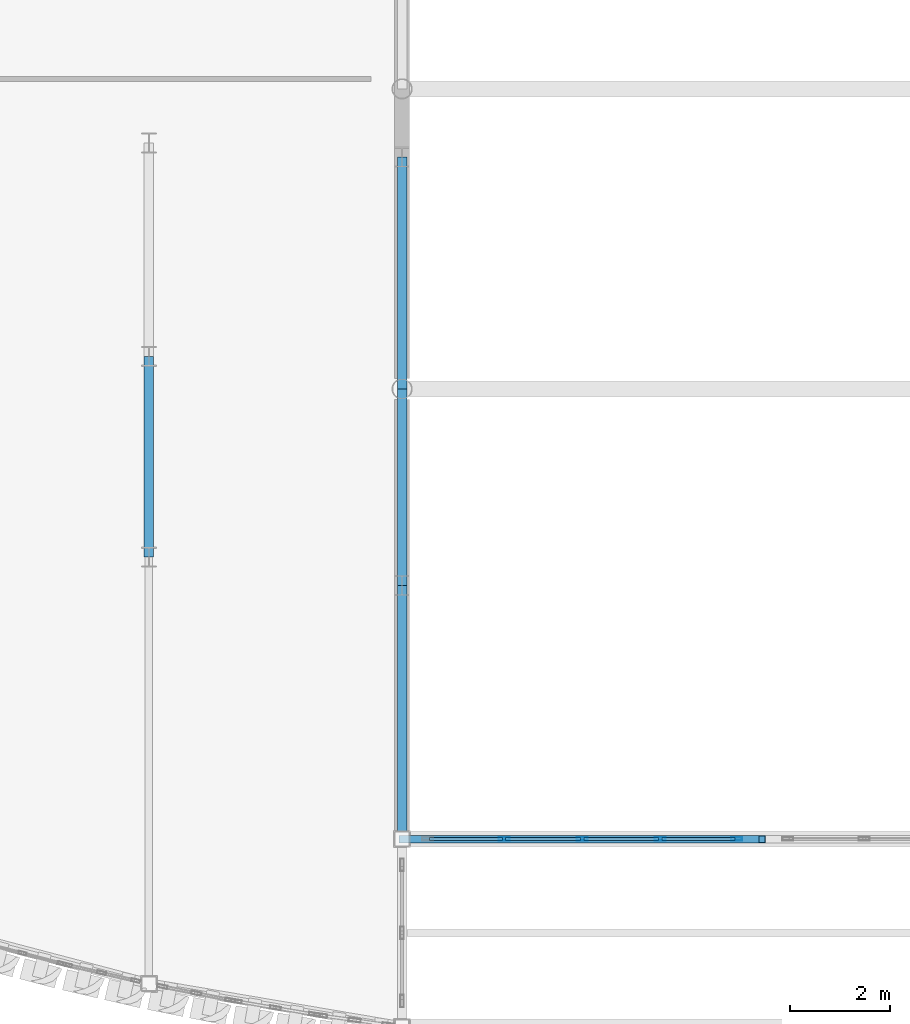
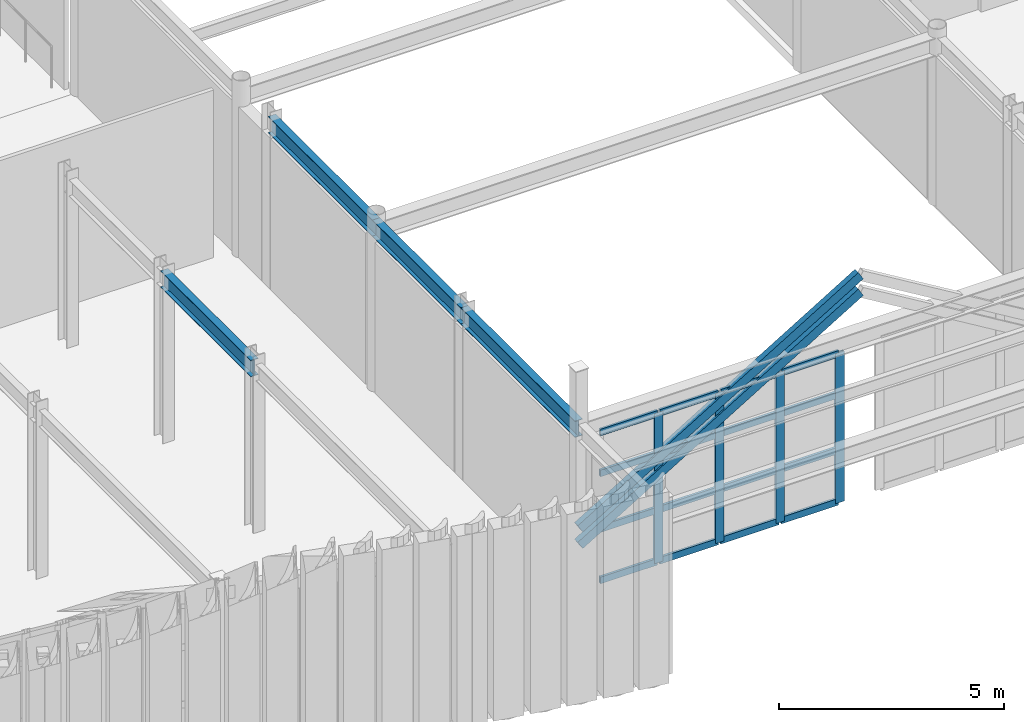
# One storey, part 42 of 126: 22 members, 4 beams, 1 element without a shape of its own.
"""IFC4 building model written with IfcOpenShell, lengths in metres."""

from ifc_helpers import new_model, si_unit, direction, frame, origin, origin_2d, place, context, subcontext, project, spatial, hollow_rectangle, i_section, extrude, material, layer, layer_set, material_profile, profile_set, type_object, element, aggregate, save


model = new_model("IFC4")

# Units and contexts
model_context = context("Model", 3, precision=1e-05, world=origin(), true_north=direction((0.0, 1.0)))
body_context = subcontext(model_context, "Body", "Model", "MODEL_VIEW")
ifc_project = project(units=[si_unit("LENGTHUNIT", "METRE"), si_unit("AREAUNIT", "SQUARE_METRE"), si_unit("VOLUMEUNIT", "CUBIC_METRE"), si_unit("PLANEANGLEUNIT", "RADIAN"), si_unit("MASSUNIT", "GRAM", prefix="KILO")], contexts=[model_context])

# Site, building, storey
site_placement = place(None, origin())
site = spatial("IfcSite", under=ifc_project, at=site_placement, CompositionType="ELEMENT")
building_placement = place(site_placement, origin())
building = spatial("IfcBuilding", under=site, at=building_placement, Name="Solvadek Multi-Sports Hall", CompositionType="ELEMENT")
storey_placement = place(building_placement, frame((0.0, 0.0, 9.60009765625)))
storey = spatial("IfcBuildingStorey", under=building, at=storey_placement, Name="L02", CompositionType="ELEMENT", Elevation=9.60009765625)

# Curtain wall, members
ifc_material_1 = material(Name="Anodised aluminium", Category="aluminium")
ifc_layer = layer(ifc_material_1, 0.159912109375, Name="Anodised aluminium")
ifc_layer_set = layer_set([ifc_layer], Name="Anodised aluminium")
curtain_wall_type = type_object("IfcCurtainWallType", Name="ENV-CW-624X408", PredefinedType="USERDEFINED", material=ifc_layer_set)
curtain_wall_placement = place(storey_placement, origin())
curtain_wall = element("IfcCurtainWall", 1, at=curtain_wall_placement, inside=storey, type_object=curtain_wall_type, Name="L02 Perimeter Bay Curtain Wall #117", ObjectType="CURTAIN WALL", PredefinedType="USERDEFINED")
ifc_material_profile_1 = material_profile(ifc_material_1, hollow_rectangle(XDim=0.06494140625, YDim=0.219970703125, WallThickness=0.0048828125, at=origin_2d()), Name="ALU-M 220x65x5")
ifc_profile_set_1 = profile_set([ifc_material_profile_1], Name="Anodised aluminium")
member_type_1 = type_object("IfcMemberType", Name="ENV-CWM-04", PredefinedType="MULLION", material=ifc_profile_set_1)
member_1_placement = place(storey_placement, frame((74.0400390625, -9.0, 0.0), z_axis=(0.0, 0.0, 1.0), x_axis=(0.0, 1.0, 0.0)))
member_1 = element("IfcMember", 2, at=member_1_placement, type_object=member_type_1, Name="CW-40 mullion 2", PredefinedType="MULLION", context=body_context, shape_type="SweptSolid", body=[
    extrude(hollow_rectangle(XDim=0.06494140625, YDim=0.219970703125, WallThickness=0.0048828125, at=origin_2d()), origin(), (0.0, 0.0, 1.0), 4.074951171875),
])
member_2_placement = place(storey_placement, frame((75.60009765625, -9.0, 0.0), z_axis=(0.0, 0.0, 1.0), x_axis=(0.0, 1.0, 0.0)))
member_2 = element("IfcMember", 3, at=member_2_placement, type_object=member_type_1, Name="CW-40 mullion 3", PredefinedType="MULLION", context=body_context, shape_type="SweptSolid", body=[
    extrude(hollow_rectangle(XDim=0.06494140625, YDim=0.219970703125, WallThickness=0.0048828125, at=origin_2d()), origin(), (0.0, 0.0, 1.0), 4.074951171875),
])
member_3_placement = place(storey_placement, frame((77.159912109375, -9.0, 0.0), z_axis=(0.0, 0.0, 1.0), x_axis=(0.0, 1.0, 0.0)))
member_3 = element("IfcMember", 4, at=member_3_placement, type_object=member_type_1, Name="CW-40 mullion 4", PredefinedType="MULLION", context=body_context, shape_type="SweptSolid", body=[
    extrude(hollow_rectangle(XDim=0.06494140625, YDim=0.219970703125, WallThickness=0.0048828125, at=origin_2d()), origin(), (0.0, 0.0, 1.0), 4.074951171875),
])
member_4_placement = place(storey_placement, frame((78.6875, -9.0, 0.0), z_axis=(0.0, 0.0, 1.0), x_axis=(0.0, 1.0, 0.0)))
member_4 = element("IfcMember", 5, at=member_4_placement, type_object=member_type_1, Name="CW-40 mullion 5", PredefinedType="MULLION", context=body_context, shape_type="SweptSolid", body=[
    extrude(hollow_rectangle(XDim=0.06494140625, YDim=0.219970703125, WallThickness=0.0048828125, at=origin_2d()), origin(), (0.0, 0.0, 1.0), 4.074951171875),
])
ifc_material_profile_2 = material_profile(ifc_material_1, hollow_rectangle(XDim=0.06494140625, YDim=0.179931640625, WallThickness=0.0048828125, at=origin_2d()), Name="ALU-T 180x65x5")
ifc_profile_set_2 = profile_set([ifc_material_profile_2], Name="Anodised aluminium")
member_type_2 = type_object("IfcMemberType", Name="ENV-CWT-04", PredefinedType="USERDEFINED", material=ifc_profile_set_2)
member_5_placement = place(storey_placement, frame((72.544921875, -9.0, 0.032470703125), z_axis=(1.0, 0.0, 0.0), x_axis=(0.0, 1.0, 0.0)))
member_5 = element("IfcMember", 6, at=member_5_placement, type_object=member_type_2, Name="CW-40 transom 1.1", ObjectType="TRANSOM", PredefinedType="USERDEFINED", context=body_context, shape_type="SweptSolid", body=[
    extrude(hollow_rectangle(XDim=0.06494140625, YDim=0.179931640625, WallThickness=0.0048828125, at=origin_2d()), origin(), (0.0, 0.0, 1.0), 1.462646484375),
])
member_6_placement = place(storey_placement, frame((72.544921875, -9.0, 1.42578125), z_axis=(1.0, 0.0, 0.0), x_axis=(0.0, 1.0, 0.0)))
member_6 = element("IfcMember", 7, at=member_6_placement, type_object=member_type_2, Name="CW-40 transom 1.2", ObjectType="TRANSOM", PredefinedType="USERDEFINED", context=body_context, shape_type="SweptSolid", body=[
    extrude(hollow_rectangle(XDim=0.06494140625, YDim=0.179931640625, WallThickness=0.0048828125, at=origin_2d()), origin(), (0.0, 0.0, 1.0), 1.462646484375),
])
member_7_placement = place(storey_placement, frame((72.544921875, -9.0, 2.933837890625), z_axis=(1.0, 0.0, 0.0), x_axis=(0.0, 1.0, 0.0)))
member_7 = element("IfcMember", 8, at=member_7_placement, type_object=member_type_2, Name="CW-40 transom 1.3", ObjectType="TRANSOM", PredefinedType="USERDEFINED", context=body_context, shape_type="SweptSolid", body=[
    extrude(hollow_rectangle(XDim=0.06494140625, YDim=0.179931640625, WallThickness=0.0048828125, at=origin_2d()), origin(), (0.0, 0.0, 1.0), 1.462646484375),
])
member_8_placement = place(storey_placement, frame((72.544921875, -9.0, 4.04248046875), z_axis=(1.0, 0.0, 0.0), x_axis=(0.0, 1.0, 0.0)))
member_8 = element("IfcMember", 9, at=member_8_placement, type_object=member_type_2, Name="CW-40 transom 1.4", ObjectType="TRANSOM", PredefinedType="USERDEFINED", context=body_context, shape_type="SweptSolid", body=[
    extrude(hollow_rectangle(XDim=0.06494140625, YDim=0.179931640625, WallThickness=0.0048828125, at=origin_2d()), origin(), (0.0, 0.0, 1.0), 1.462646484375),
])
member_9_placement = place(storey_placement, frame((74.072509765625, -9.0, 0.032470703125), z_axis=(1.0, 0.0, 0.0), x_axis=(0.0, 1.0, 0.0)))
member_9 = element("IfcMember", 10, at=member_9_placement, type_object=member_type_2, Name="CW-40 transom 2.1", ObjectType="TRANSOM", PredefinedType="USERDEFINED", context=body_context, shape_type="SweptSolid", body=[
    extrude(hollow_rectangle(XDim=0.06494140625, YDim=0.179931640625, WallThickness=0.0048828125, at=origin_2d()), origin(), (0.0, 0.0, 1.0), 1.494873046875),
])
member_10_placement = place(storey_placement, frame((74.072509765625, -9.0, 1.42578125), z_axis=(1.0, 0.0, 0.0), x_axis=(0.0, 1.0, 0.0)))
member_10 = element("IfcMember", 11, at=member_10_placement, type_object=member_type_2, Name="CW-40 transom 2.2", ObjectType="TRANSOM", PredefinedType="USERDEFINED", context=body_context, shape_type="SweptSolid", body=[
    extrude(hollow_rectangle(XDim=0.06494140625, YDim=0.179931640625, WallThickness=0.0048828125, at=origin_2d()), origin(), (0.0, 0.0, 1.0), 1.494873046875),
])
member_11_placement = place(storey_placement, frame((74.072509765625, -9.0, 2.933837890625), z_axis=(1.0, 0.0, 0.0), x_axis=(0.0, 1.0, 0.0)))
member_11 = element("IfcMember", 12, at=member_11_placement, type_object=member_type_2, Name="CW-40 transom 2.3", ObjectType="TRANSOM", PredefinedType="USERDEFINED", context=body_context, shape_type="SweptSolid", body=[
    extrude(hollow_rectangle(XDim=0.06494140625, YDim=0.179931640625, WallThickness=0.0048828125, at=origin_2d()), origin(), (0.0, 0.0, 1.0), 1.494873046875),
])
member_12_placement = place(storey_placement, frame((74.072509765625, -9.0, 4.04248046875), z_axis=(1.0, 0.0, 0.0), x_axis=(0.0, 1.0, 0.0)))
member_12 = element("IfcMember", 13, at=member_12_placement, type_object=member_type_2, Name="CW-40 transom 2.4", ObjectType="TRANSOM", PredefinedType="USERDEFINED", context=body_context, shape_type="SweptSolid", body=[
    extrude(hollow_rectangle(XDim=0.06494140625, YDim=0.179931640625, WallThickness=0.0048828125, at=origin_2d()), origin(), (0.0, 0.0, 1.0), 1.494873046875),
])
member_13_placement = place(storey_placement, frame((75.632568359375, -9.0, 0.032470703125), z_axis=(1.0, 0.0, 0.0), x_axis=(0.0, 1.0, 0.0)))
member_13 = element("IfcMember", 14, at=member_13_placement, type_object=member_type_2, Name="CW-40 transom 3.1", ObjectType="TRANSOM", PredefinedType="USERDEFINED", context=body_context, shape_type="SweptSolid", body=[
    extrude(hollow_rectangle(XDim=0.06494140625, YDim=0.179931640625, WallThickness=0.0048828125, at=origin_2d()), origin(), (0.0, 0.0, 1.0), 1.494873046875),
])
member_14_placement = place(storey_placement, frame((75.632568359375, -9.0, 1.42578125), z_axis=(1.0, 0.0, 0.0), x_axis=(0.0, 1.0, 0.0)))
member_14 = element("IfcMember", 15, at=member_14_placement, type_object=member_type_2, Name="CW-40 transom 3.2", ObjectType="TRANSOM", PredefinedType="USERDEFINED", context=body_context, shape_type="SweptSolid", body=[
    extrude(hollow_rectangle(XDim=0.06494140625, YDim=0.179931640625, WallThickness=0.0048828125, at=origin_2d()), origin(), (0.0, 0.0, 1.0), 1.494873046875),
])
member_15_placement = place(storey_placement, frame((75.632568359375, -9.0, 2.933837890625), z_axis=(1.0, 0.0, 0.0), x_axis=(0.0, 1.0, 0.0)))
member_15 = element("IfcMember", 16, at=member_15_placement, type_object=member_type_2, Name="CW-40 transom 3.3", ObjectType="TRANSOM", PredefinedType="USERDEFINED", context=body_context, shape_type="SweptSolid", body=[
    extrude(hollow_rectangle(XDim=0.06494140625, YDim=0.179931640625, WallThickness=0.0048828125, at=origin_2d()), origin(), (0.0, 0.0, 1.0), 1.494873046875),
])
member_16_placement = place(storey_placement, frame((75.632568359375, -9.0, 4.04248046875), z_axis=(1.0, 0.0, 0.0), x_axis=(0.0, 1.0, 0.0)))
member_16 = element("IfcMember", 17, at=member_16_placement, type_object=member_type_2, Name="CW-40 transom 3.4", ObjectType="TRANSOM", PredefinedType="USERDEFINED", context=body_context, shape_type="SweptSolid", body=[
    extrude(hollow_rectangle(XDim=0.06494140625, YDim=0.179931640625, WallThickness=0.0048828125, at=origin_2d()), origin(), (0.0, 0.0, 1.0), 1.494873046875),
])
member_17_placement = place(storey_placement, frame((77.1923828125, -9.0, 0.032470703125), z_axis=(1.0, 0.0, 0.0), x_axis=(0.0, 1.0, 0.0)))
member_17 = element("IfcMember", 18, at=member_17_placement, type_object=member_type_2, Name="CW-40 transom 4.1", ObjectType="TRANSOM", PredefinedType="USERDEFINED", context=body_context, shape_type="SweptSolid", body=[
    extrude(hollow_rectangle(XDim=0.06494140625, YDim=0.179931640625, WallThickness=0.0048828125, at=origin_2d()), origin(), (0.0, 0.0, 1.0), 1.462646484375),
])
member_18_placement = place(storey_placement, frame((77.1923828125, -9.0, 1.42578125), z_axis=(1.0, 0.0, 0.0), x_axis=(0.0, 1.0, 0.0)))
member_18 = element("IfcMember", 19, at=member_18_placement, type_object=member_type_2, Name="CW-40 transom 4.2", ObjectType="TRANSOM", PredefinedType="USERDEFINED", context=body_context, shape_type="SweptSolid", body=[
    extrude(hollow_rectangle(XDim=0.06494140625, YDim=0.179931640625, WallThickness=0.0048828125, at=origin_2d()), origin(), (0.0, 0.0, 1.0), 1.462646484375),
])
member_19_placement = place(storey_placement, frame((77.1923828125, -9.0, 2.933837890625), z_axis=(1.0, 0.0, 0.0), x_axis=(0.0, 1.0, 0.0)))
member_19 = element("IfcMember", 20, at=member_19_placement, type_object=member_type_2, Name="CW-40 transom 4.3", ObjectType="TRANSOM", PredefinedType="USERDEFINED", context=body_context, shape_type="SweptSolid", body=[
    extrude(hollow_rectangle(XDim=0.06494140625, YDim=0.179931640625, WallThickness=0.0048828125, at=origin_2d()), origin(), (0.0, 0.0, 1.0), 1.462646484375),
])
member_20_placement = place(storey_placement, frame((77.1923828125, -9.0, 4.04248046875), z_axis=(1.0, 0.0, 0.0), x_axis=(0.0, 1.0, 0.0)))
member_20 = element("IfcMember", 21, at=member_20_placement, type_object=member_type_2, Name="CW-40 transom 4.4", ObjectType="TRANSOM", PredefinedType="USERDEFINED", context=body_context, shape_type="SweptSolid", body=[
    extrude(hollow_rectangle(XDim=0.06494140625, YDim=0.179931640625, WallThickness=0.0048828125, at=origin_2d()), origin(), (0.0, 0.0, 1.0), 1.462646484375),
])
aggregate(curtain_wall, [member_1, member_2, member_3, member_4, member_5, member_6, member_7, member_8, member_9, member_10, member_11, member_12, member_13, member_14, member_15, member_16, member_17, member_18, member_19, member_20])

# Members
ifc_material_2 = material(Name="Steel E350 (350 MPa)", Category="steel")
ifc_material_profile_3 = material_profile(ifc_material_2, hollow_rectangle(XDim=0.14990234375, YDim=0.25, WallThickness=0.010009765625, at=origin_2d()), Name="RHS 250x150x10")
ifc_profile_set_3 = profile_set([ifc_material_profile_3], Name="Steel E350 (350 MPa)")
member_type_3 = type_object("IfcMemberType", Name="STR-ARC-RHS250", PredefinedType="USERDEFINED", material=ifc_profile_set_3)
member_21_placement = place(storey_placement, frame((72.0, -9.0, 1.199951171875), z_axis=(0.855921697192, 0.0, 0.517105451795), x_axis=(0.0, 1.0, 0.0)))
element("IfcMember", 22, at=member_21_placement, inside=storey, type_object=member_type_3, Name="Ottoman Tackapi Portal Pointed Arch S-L", ObjectType="ARCH_SEGMENT", PredefinedType="USERDEFINED", context=body_context, shape_type="SweptSolid", body=[
    extrude(hollow_rectangle(XDim=0.14990234375, YDim=0.25, WallThickness=0.010009765625, at=origin_2d()), origin(), (0.0, 0.0, 1.0), 8.411865234375),
])
member_22_placement = place(storey_placement, frame((72.0, -9.0, 1.64990234375), z_axis=(0.855908851423, 0.0, 0.517126713732), x_axis=(0.0, 1.0, 0.0)))
element("IfcMember", 23, at=member_22_placement, inside=storey, type_object=member_type_3, Name="Ottoman Tackapi Portal Pointed Arch S-L", ObjectType="ARCH_SEGMENT", PredefinedType="USERDEFINED", context=body_context, shape_type="SweptSolid", body=[
    extrude(hollow_rectangle(XDim=0.14990234375, YDim=0.25, WallThickness=0.010009765625, at=origin_2d()), origin(), (0.0, 0.0, 1.0), 8.412109375),
])

# Beams
ifc_material_profile_4 = material_profile(ifc_material_2, i_section(OverallWidth=0.18994140625, OverallDepth=0.449951171875, WebThickness=0.009521484375, FlangeThickness=0.0146484375, at=origin_2d()), Name="NPB 450")
ifc_profile_set_4 = profile_set([ifc_material_profile_4], Name="Steel E350 (350 MPa)")
beam_type = type_object("IfcBeamType", Name="STR-BM-NPB450", PredefinedType="BEAM", material=ifc_profile_set_4)
beam_1_placement = place(storey_placement, frame((66.939453125, -3.362060546875, 4.3349609375), z_axis=(0.0, 1.0, 0.0), x_axis=(-1.0, 0.0, 0.0)))
element("IfcBeam", 24, at=beam_1_placement, inside=storey, type_object=beam_type, Name="L02 Girder B-08 #1552", PredefinedType="BEAM", context=body_context, shape_type="SweptSolid", body=[
    extrude(i_section(OverallWidth=0.18994140625, OverallDepth=0.449951171875, WebThickness=0.009521484375, FlangeThickness=0.0146484375, at=origin_2d()), origin(), (0.0, 0.0, 1.0), 4.01513671875),
])
beam_2_placement = place(storey_placement, frame((72.0, -9.0, 4.3349609375), z_axis=(0.0, 1.0, 0.0), x_axis=(-1.0, 0.0, 0.0)))
element("IfcBeam", 25, at=beam_2_placement, inside=storey, type_object=beam_type, Name="L02 Girder B-08 #1555", PredefinedType="BEAM", context=body_context, shape_type="SweptSolid", body=[
    extrude(i_section(OverallWidth=0.18994140625, OverallDepth=0.449951171875, WebThickness=0.009521484375, FlangeThickness=0.0146484375, at=origin_2d()), origin(), (0.0, 0.0, 1.0), 5.071044921875),
])
beam_3_placement = place(storey_placement, frame((72.0, -3.928955078125, 4.3349609375), z_axis=(0.0, 1.0, 0.0), x_axis=(-1.0, 0.0, 0.0)))
element("IfcBeam", 26, at=beam_3_placement, inside=storey, type_object=beam_type, Name="L02 Girder B-08 #1556", PredefinedType="BEAM", context=body_context, shape_type="SweptSolid", body=[
    extrude(i_section(OverallWidth=0.18994140625, OverallDepth=0.449951171875, WebThickness=0.009521484375, FlangeThickness=0.0146484375, at=origin_2d()), origin(), (0.0, 0.0, 1.0), 3.928955078125),
])
beam_4_placement = place(storey_placement, frame((72.0, 0.0, 4.3349609375), z_axis=(0.0, 1.0, 0.0), x_axis=(-1.0, 0.0, 0.0)))
element("IfcBeam", 27, at=beam_4_placement, inside=storey, type_object=beam_type, Name="L02 Girder B-08 #1557", PredefinedType="BEAM", context=body_context, shape_type="SweptSolid", body=[
    extrude(i_section(OverallWidth=0.18994140625, OverallDepth=0.449951171875, WebThickness=0.009521484375, FlangeThickness=0.0146484375, at=origin_2d()), origin(), (0.0, 0.0, 1.0), 4.635498046875),
])

save(model, "model.ifc")
